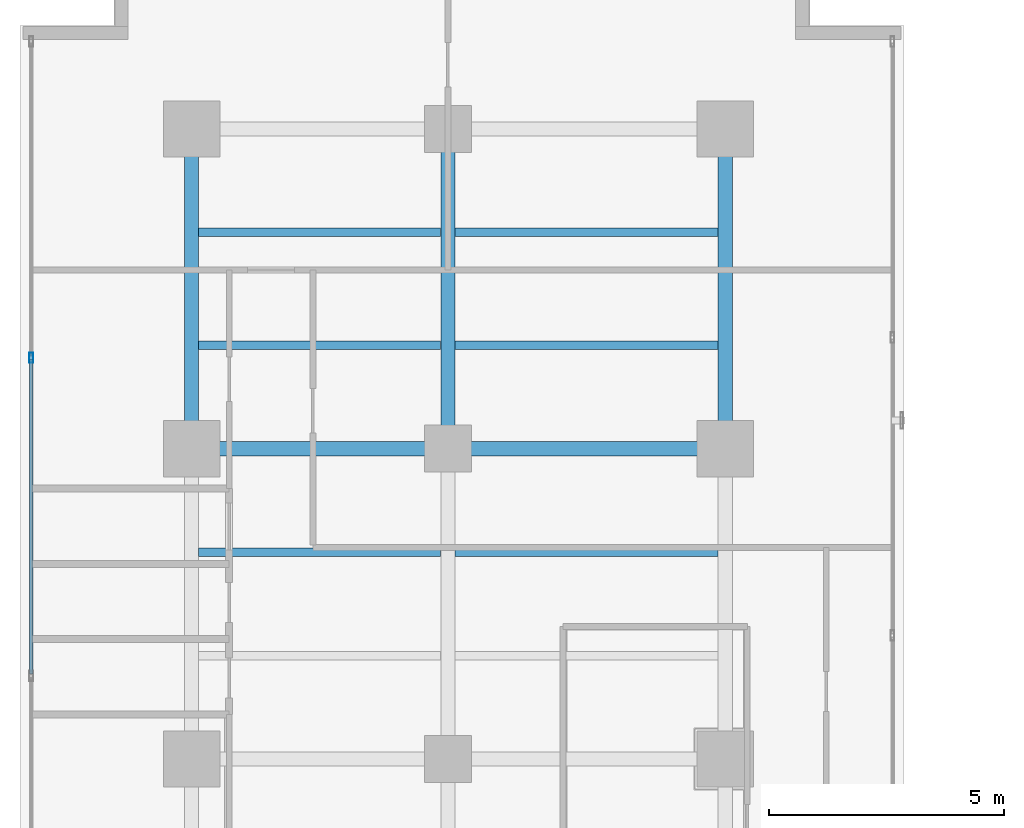
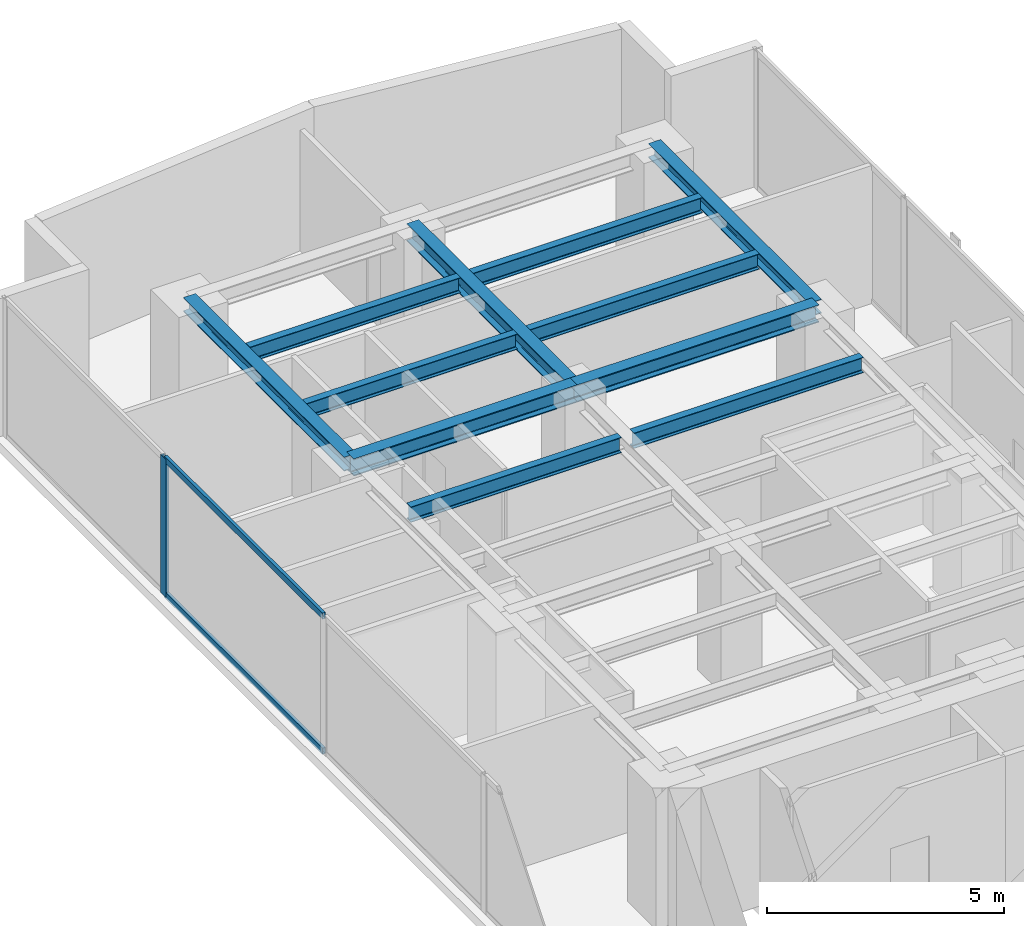
# One storey, part 15 of 26: 11 beams, 3 members, 1 element without a shape of its own.
"""IFC4 building model written with IfcOpenShell, lengths in metres."""

import ifcopenshell
import ifcopenshell.guid

model = None  # the IFC model being written
_history = None  # IfcOwnerHistory: only IFC2X3 demands one
_inside = {}  # id of a spatial element -> (the spatial element, [elements in it])
_under = {}  # id of a project, library or spatial element -> (it, [spatial elements below it])
_declared = {}  # id of a project -> (the project, [libraries it declares])
_typed = {}  # id of a type object -> (the type object, [elements of that type])
_made_of = {}  # id of a material, layer set ... -> (it, [elements and type objects made of it])


def new_model(schema):
    """Start an empty IFC model of exactly this schema.

    Asked for "IFC4X3", IfcOpenShell would pick the latest addendum, in which some entities
    have other attributes; the version numbers below select the first issue.
    IFC2X3 requires an IfcOwnerHistory on every rooted entity: one is made here for all.
    """
    global model, _history
    if schema == "IFC4X3":
        model = ifcopenshell.file(schema_version=(4, 3, 0, 0))
    else:
        model = ifcopenshell.file(schema=schema)
    _inside.clear()
    _under.clear()
    _declared.clear()
    _typed.clear()
    _made_of.clear()
    _history = None
    if model.schema == "IFC2X3":
        org = make("IfcOrganization", Name="unknown")
        user = make(
            "IfcPersonAndOrganization",
            ThePerson=make("IfcPerson", FamilyName="unknown"),
            TheOrganization=org,
        )
        app = make(
            "IfcApplication",
            ApplicationDeveloper=org,
            Version="unknown",
            ApplicationFullName="unknown",
            ApplicationIdentifier="unknown",
        )
        _history = make(
            "IfcOwnerHistory",
            OwningUser=user,
            OwningApplication=app,
            ChangeAction="ADDED",
            CreationDate=0,
        )
    return model


def make(cls, **values):
    """One entity of the class cls with the attributes given. An attribute that is None is left unset."""
    return model.create_entity(
        cls, **{name: value for name, value in values.items() if value is not None}
    )


def rooted(cls, **values):
    """An entity with a GlobalId (a new one), such as an element, a storey or a relation."""
    return make(cls, GlobalId=ifcopenshell.guid.new(), OwnerHistory=_history, **values)


def si_unit(unit_type, name, prefix=None):
    """IfcSIUnit, for example si_unit("LENGTHUNIT", "METRE", prefix="MILLI")."""
    return make("IfcSIUnit", UnitType=unit_type, Prefix=prefix, Name=name)


def assignment(units):
    """IfcUnitAssignment: the units of a project."""
    return None if units is None else make("IfcUnitAssignment", Units=units)


def point(xyz):
    """IfcCartesianPoint."""
    return None if xyz is None else make("IfcCartesianPoint", Coordinates=xyz)


def direction(xyz):
    """IfcDirection."""
    return None if xyz is None else make("IfcDirection", DirectionRatios=xyz)


def frame(location, z_axis=None, x_axis=None):
    """IfcAxis2Placement3D, a coordinate frame: its origin and axes. An axis left out is left unset."""
    return make(
        "IfcAxis2Placement3D",
        Location=point(location),
        Axis=direction(z_axis),
        RefDirection=direction(x_axis),
    )


def frame_2d(location, x_axis=None):
    """IfcAxis2Placement2D, a coordinate frame in the plane: its origin and x axis."""
    return make(
        "IfcAxis2Placement2D", Location=point(location), RefDirection=direction(x_axis)
    )


def origin():
    """The frame at (0, 0, 0) with its axes left unset."""
    return frame((0.0, 0.0, 0.0))


def origin_with_axes():
    """The frame at (0, 0, 0) with the z axis (0, 0, 1) and the x axis (1, 0, 0) written out."""
    return frame((0.0, 0.0, 0.0), z_axis=(0.0, 0.0, 1.0), x_axis=(1.0, 0.0, 0.0))


def origin_2d():
    """The frame at (0, 0) in the plane with its x axis left unset."""
    return frame_2d((0.0, 0.0))


def place(relative_to, where):
    """IfcLocalPlacement: puts the frame where relative to a parent placement (None: the world)."""
    return make(
        "IfcLocalPlacement", PlacementRelTo=relative_to, RelativePlacement=where
    )


def context(
    kind, dimensions, precision=None, world=None, true_north=None, identifier=None
):
    """IfcGeometricRepresentationContext, for example the 3D "Model" context."""
    return make(
        "IfcGeometricRepresentationContext",
        ContextIdentifier=identifier,
        ContextType=kind,
        CoordinateSpaceDimension=dimensions,
        Precision=precision,
        WorldCoordinateSystem=world,
        TrueNorth=true_north,
    )


def subcontext(parent, identifier, kind, view, scale=None):
    """IfcGeometricRepresentationSubContext, for example "Body" below "Model"."""
    return make(
        "IfcGeometricRepresentationSubContext",
        ContextIdentifier=identifier,
        ContextType=kind,
        ParentContext=parent,
        TargetScale=scale,
        TargetView=view,
    )


def project(units=None, contexts=None):
    """IfcProject with its units and contexts."""
    return rooted(
        "IfcProject",
        Name="project",
        RepresentationContexts=contexts,
        UnitsInContext=assignment(units),
    )


def spatial(cls, under=None, at=None, **own):
    """A site, building, storey or space (cls), placed at a placement, below another one or the project."""
    s = rooted(cls, ObjectPlacement=at, **own)
    if under is not None:
        _under.setdefault(under.id(), (under, []))[1].append(s)
    return s


def profile(cls, at=None, kind="AREA", **sizes):
    """A parametric profile (cls). Its sizes go by their IFC names, for example OverallWidth=200.0."""
    return make(cls, ProfileType=kind, Position=at, **sizes)


def hollow_rectangle(**sizes):
    """IfcRectangleHollowProfileDef."""
    return profile("IfcRectangleHollowProfileDef", **sizes)


def i_section(**sizes):
    """IfcIShapeProfileDef."""
    return profile("IfcIShapeProfileDef", **sizes)


def extrude(swept, where, along, depth):
    """IfcExtrudedAreaSolid: the profile swept, set in the frame where, extruded along a direction by depth."""
    return make(
        "IfcExtrudedAreaSolid",
        SweptArea=swept,
        Position=where,
        ExtrudedDirection=direction(along),
        Depth=depth,
    )


def shape(context_of_items, identifier, shape_type, items):
    """IfcShapeRepresentation: the items that make up one representation, for example the "Body"."""
    return make(
        "IfcShapeRepresentation",
        ContextOfItems=context_of_items,
        RepresentationIdentifier=identifier,
        RepresentationType=shape_type,
        Items=items,
    )


def source(mapping_origin, context_of_items, identifier, shape_type, items):
    """IfcRepresentationMap: a shape defined once, which mapped items show again and again."""
    return make(
        "IfcRepresentationMap",
        MappingOrigin=mapping_origin,
        MappedRepresentation=shape(context_of_items, identifier, shape_type, items),
    )


def transform(
    local_origin,
    x_axis=None,
    y_axis=None,
    z_axis=None,
    scale=None,
    scale2=None,
    scale3=None,
    uniform=True,
):
    """IfcCartesianTransformationOperator3D, or its non-uniform kind. x_axis, y_axis, z_axis: its Axis1, 2, 3."""
    if uniform:
        return make(
            "IfcCartesianTransformationOperator3D",
            Axis1=direction(x_axis),
            Axis2=direction(y_axis),
            LocalOrigin=point(local_origin),
            Scale=scale,
            Axis3=direction(z_axis),
        )
    return make(
        "IfcCartesianTransformationOperator3DnonUniform",
        Axis1=direction(x_axis),
        Axis2=direction(y_axis),
        LocalOrigin=point(local_origin),
        Scale=scale,
        Axis3=direction(z_axis),
        Scale2=scale2,
        Scale3=scale3,
    )


def mapped(mapping_source, mapping_target):
    """IfcMappedItem: shows the shape of a source again, moved by a transform."""
    return make(
        "IfcMappedItem", MappingSource=mapping_source, MappingTarget=mapping_target
    )


def material(Name=None, Category=None):
    """IfcMaterial."""
    return make("IfcMaterial", Name=Name, Category=Category)


def layer(
    of_material, thickness, ventilated=None, Name=None, Category=None, Priority=None
):
    """IfcMaterialLayer: one layer of a wall or slab, of a material (None: an air gap)."""
    return make(
        "IfcMaterialLayer",
        Material=of_material,
        LayerThickness=thickness,
        IsVentilated=ventilated,
        Name=Name,
        Category=Category,
        Priority=Priority,
    )


def layer_set(layers, Name=None):
    """IfcMaterialLayerSet."""
    return make("IfcMaterialLayerSet", MaterialLayers=layers, LayerSetName=Name)


def material_profile(
    of_material, cross_section, Name=None, Category=None, Priority=None
):
    """IfcMaterialProfile: a cross section and its material."""
    return make(
        "IfcMaterialProfile",
        Name=Name,
        Material=of_material,
        Profile=cross_section,
        Priority=Priority,
        Category=Category,
    )


def profile_set(profiles, Name=None, composite=None):
    """IfcMaterialProfileSet."""
    return make(
        "IfcMaterialProfileSet",
        Name=Name,
        MaterialProfiles=profiles,
        CompositeProfile=composite,
    )


def made_of(thing, what):
    """Note that an element or type object is made of a material, layer set ...; save() writes the relation."""
    if what is not None:
        _made_of.setdefault(what.id(), (what, []))[1].append(thing)
    return thing


def type_object(cls, material=None, **own):
    """A type object (cls), such as IfcWallType, which elements share."""
    return made_of(rooted(cls, **own), material)


def element(
    cls,
    number,
    at=None,
    inside=None,
    cuts=None,
    type_object=None,
    material=None,
    context=None,
    identifier="Body",
    shape_type=None,
    held_by="IfcProductDefinitionShape",
    body=None,
    shapes=None,
    **own,
):
    """One element of the class cls, such as IfcWall. Its Tag is "e" and its number.

    at: its placement. inside: the storey or other place that contains it. cuts: it is an
    opening in that element (IfcRelVoidsElement). A single representation is given by context,
    identifier, shape_type and body (its items); several are given by shapes. held_by: the class
    of the entity that holds the representations. save() writes the other relations.
    """
    e = rooted(cls, Tag="e%d" % number, ObjectPlacement=at, **own)
    if body is not None:
        shapes = [shape(context, identifier, shape_type, body)]
    if shapes is not None:
        e.Representation = make(held_by, Representations=shapes)
    if inside is not None:
        _inside.setdefault(inside.id(), (inside, []))[1].append(e)
    if cuts is not None:
        rooted(
            "IfcRelVoidsElement", RelatingBuildingElement=cuts, RelatedOpeningElement=e
        )
    if type_object is not None:
        _typed.setdefault(type_object.id(), (type_object, []))[1].append(e)
    return made_of(e, material)


def aggregate(whole, parts):
    """IfcRelAggregates: a whole, such as a stair, and the parts it consists of."""
    return rooted("IfcRelAggregates", RelatingObject=whole, RelatedObjects=parts)


def save(model, path):
    """Write the relations noted so far, then the file.

    IfcRelAggregates (storeys below a building ...), IfcRelContainedInSpatialStructure (elements
    in a storey), IfcRelDefinesByType, IfcRelAssociatesMaterial and IfcRelDeclares: one each for
    every whole, place, type object, material and project.
    """
    for whole, parts in _under.values():
        aggregate(whole, parts)
    for where, things in _inside.values():
        rooted(
            "IfcRelContainedInSpatialStructure",
            RelatedElements=things,
            RelatingStructure=where,
        )
    for kind, things in _typed.values():
        rooted("IfcRelDefinesByType", RelatedObjects=things, RelatingType=kind)
    for what, things in _made_of.values():
        rooted("IfcRelAssociatesMaterial", RelatedObjects=things, RelatingMaterial=what)
    for by, libraries in _declared.values():
        rooted("IfcRelDeclares", RelatingContext=by, RelatedDefinitions=libraries)
    model.write(path)


model = new_model("IFC4")

# Units and contexts
model_context = context("Model", 3, precision=1e-05, world=origin(), true_north=direction((0.0, 1.0)))
body_context = subcontext(model_context, "Body", "Model", "MODEL_VIEW")
ifc_project = project(units=[si_unit("LENGTHUNIT", "METRE"), si_unit("AREAUNIT", "SQUARE_METRE"), si_unit("VOLUMEUNIT", "CUBIC_METRE"), si_unit("PLANEANGLEUNIT", "RADIAN"), si_unit("MASSUNIT", "GRAM", prefix="KILO")], contexts=[model_context])

# Site, building, storey
site_placement = place(None, origin())
site = spatial("IfcSite", under=ifc_project, at=site_placement, CompositionType="ELEMENT")
building_placement = place(site_placement, origin())
building = spatial("IfcBuilding", under=site, at=building_placement, Name="Kolvaren Waterfront Exchange", CompositionType="ELEMENT")
storey_placement = place(building_placement, frame((0.0, 0.0, 180.39990234375)))
storey = spatial("IfcBuildingStorey", under=building, at=storey_placement, Name="L46", CompositionType="ELEMENT", Elevation=180.39990234375)

# Beams
ifc_material_1 = material(Name="Steel S355", Category="steel")
ifc_material_profile_1 = material_profile(ifc_material_1, i_section(OverallWidth=0.300048828125, OverallDepth=0.360107421875, WebThickness=0.012451171875, FlangeThickness=0.0224609375, FilletRadius=0.027099609375, at=origin_2d()), Name="HEB360")
ifc_profile_set_1 = profile_set([ifc_material_profile_1], Name="Steel S355")
beam_type_1 = type_object("IfcBeamType", Name="STR-BM-HEB360", PredefinedType="SPANDREL", material=ifc_profile_set_1)
for number, where, z_axis, x_axis, name in (
    (1, (7.449951171875, 37.800048828125, 3.380126953125), (0.0, 1.0, 0.0), (-1.0, 0.0, 0.0), "L46 north-arm edge beam 3"),
    (2, (18.800048828125, 37.800048828125, 3.380126953125), (0.0, 1.0, 0.0), (-1.0, 0.0, 0.0), "L46 north-arm edge beam 3"),
):
    element("IfcBeam", number, at=place(storey_placement, frame(where, z_axis=z_axis, x_axis=x_axis)), inside=storey, type_object=beam_type_1, Name=name, PredefinedType="SPANDREL", context=body_context, shape_type="SweptSolid", body=[
        extrude(i_section(OverallWidth=0.300048828125, OverallDepth=0.360107421875, WebThickness=0.012451171875, FlangeThickness=0.0224609375, FilletRadius=0.027099609375, at=origin_2d()), origin(), (0.0, 0.0, 1.0), 6.800048828125),
    ])
ifc_material_profile_2 = material_profile(ifc_material_1, i_section(OverallWidth=0.300048828125, OverallDepth=0.449951171875, WebThickness=0.013916015625, FlangeThickness=0.02587890625, FilletRadius=0.027099609375, at=origin_2d()), Name="HEB450")
ifc_profile_set_2 = profile_set([ifc_material_profile_2], Name="Steel S355")
beam_type_2 = type_object("IfcBeamType", Name="STR-BM-HEB450", PredefinedType="BEAM", material=ifc_profile_set_2)
beam_1_placement = place(storey_placement, frame((7.449951171875, 37.800048828125, 3.335205078125), z_axis=(1.0, 0.0, 0.0), x_axis=(0.0, 1.0, 0.0)))
element("IfcBeam", 3, at=beam_1_placement, inside=storey, type_object=beam_type_2, Name="L46 north-arm girder 3A", PredefinedType="BEAM", context=body_context, shape_type="SweptSolid", body=[
    extrude(i_section(OverallWidth=0.300048828125, OverallDepth=0.449951171875, WebThickness=0.013916015625, FlangeThickness=0.02587890625, FilletRadius=0.027099609375, at=origin_2d()), origin(), (0.0, 0.0, 1.0), 5.449951171875),
])
beam_2_placement = place(storey_placement, frame((12.89990234375, 37.800048828125, 3.335205078125), z_axis=(1.0, 0.0, 0.0), x_axis=(0.0, 1.0, 0.0)))
element("IfcBeam", 4, at=beam_2_placement, inside=storey, type_object=beam_type_2, Name="L46 north-arm girder 3B", PredefinedType="BEAM", context=body_context, shape_type="SweptSolid", body=[
    extrude(i_section(OverallWidth=0.300048828125, OverallDepth=0.449951171875, WebThickness=0.013916015625, FlangeThickness=0.02587890625, FilletRadius=0.027099609375, at=origin_2d()), origin(), (0.0, 0.0, 1.0), 5.900146484375),
])
beam_3_placement = place(storey_placement, frame((12.89990234375, 37.800048828125, 3.335205078125), z_axis=(0.0, 1.0, 0.0), x_axis=(-1.0, 0.0, 0.0)))
element("IfcBeam", 5, at=beam_3_placement, inside=storey, type_object=beam_type_2, Name="L46 north-arm edge beam 3", PredefinedType="BEAM", context=body_context, shape_type="SweptSolid", body=[
    extrude(i_section(OverallWidth=0.300048828125, OverallDepth=0.449951171875, WebThickness=0.013916015625, FlangeThickness=0.02587890625, FilletRadius=0.027099609375, at=origin_2d()), origin(), (0.0, 0.0, 1.0), 6.800048828125),
])
ifc_material_profile_3 = material_profile(ifc_material_1, i_section(OverallWidth=0.179931640625, OverallDepth=0.39990234375, WebThickness=0.008544921875, FlangeThickness=0.013427734375, FilletRadius=0.02099609375, at=origin_2d()), Name="IPE400")
ifc_profile_set_3 = profile_set([ifc_material_profile_3], Name="Steel S355")
beam_type_3 = type_object("IfcBeamType", Name="STR-BM-IPE400", PredefinedType="JOIST", material=ifc_profile_set_3)
beam_4_placement = place(storey_placement, frame((7.60205078125, 35.60009765625, 3.360107421875), z_axis=(1.0, 0.0, 0.0), x_axis=(0.0, 1.0, 0.0)))
element("IfcBeam", 6, at=beam_4_placement, inside=storey, type_object=beam_type_3, Name="L46 north-arm composite joist 4A", PredefinedType="JOIST", context=body_context, shape_type="SweptSolid", body=[
    extrude(i_section(OverallWidth=0.179931640625, OverallDepth=0.39990234375, WebThickness=0.008544921875, FlangeThickness=0.013427734375, FilletRadius=0.02099609375, at=origin_2d()), origin(), (0.0, 0.0, 1.0), 5.14599609375),
])
beam_5_placement = place(storey_placement, frame((13.052001953125, 35.60009765625, 3.360107421875), z_axis=(1.0, 0.0, 0.0), x_axis=(0.0, 1.0, 0.0)))
element("IfcBeam", 7, at=beam_5_placement, inside=storey, type_object=beam_type_3, Name="L46 north-arm composite joist 4B", PredefinedType="JOIST", context=body_context, shape_type="SweptSolid", body=[
    extrude(i_section(OverallWidth=0.179931640625, OverallDepth=0.39990234375, WebThickness=0.008544921875, FlangeThickness=0.013427734375, FilletRadius=0.02099609375, at=origin_2d()), origin(), (0.0, 0.0, 1.0), 5.595947265625),
])
beam_6_placement = place(storey_placement, frame((7.60205078125, 40.0, 3.360107421875), z_axis=(1.0, 0.0, 0.0), x_axis=(0.0, 1.0, 0.0)))
element("IfcBeam", 8, at=beam_6_placement, inside=storey, type_object=beam_type_3, Name="L46 north-arm composite joist 5A", PredefinedType="JOIST", context=body_context, shape_type="SweptSolid", body=[
    extrude(i_section(OverallWidth=0.179931640625, OverallDepth=0.39990234375, WebThickness=0.008544921875, FlangeThickness=0.013427734375, FilletRadius=0.02099609375, at=origin_2d()), origin(), (0.0, 0.0, 1.0), 5.14599609375),
])
beam_7_placement = place(storey_placement, frame((13.052001953125, 40.0, 3.360107421875), z_axis=(1.0, 0.0, 0.0), x_axis=(0.0, 1.0, 0.0)))
element("IfcBeam", 9, at=beam_7_placement, inside=storey, type_object=beam_type_3, Name="L46 north-arm composite joist 5B", PredefinedType="JOIST", context=body_context, shape_type="SweptSolid", body=[
    extrude(i_section(OverallWidth=0.179931640625, OverallDepth=0.39990234375, WebThickness=0.008544921875, FlangeThickness=0.013427734375, FilletRadius=0.02099609375, at=origin_2d()), origin(), (0.0, 0.0, 1.0), 5.595947265625),
])
beam_8_placement = place(storey_placement, frame((7.60205078125, 42.39990234375, 3.360107421875), z_axis=(1.0, 0.0, 0.0), x_axis=(0.0, 1.0, 0.0)))
element("IfcBeam", 10, at=beam_8_placement, inside=storey, type_object=beam_type_3, Name="L46 north-arm composite joist 6A", PredefinedType="JOIST", context=body_context, shape_type="SweptSolid", body=[
    extrude(i_section(OverallWidth=0.179931640625, OverallDepth=0.39990234375, WebThickness=0.008544921875, FlangeThickness=0.013427734375, FilletRadius=0.02099609375, at=origin_2d()), origin(), (0.0, 0.0, 1.0), 5.14599609375),
])
beam_9_placement = place(storey_placement, frame((13.052001953125, 42.39990234375, 3.360107421875), z_axis=(1.0, 0.0, 0.0), x_axis=(0.0, 1.0, 0.0)))
element("IfcBeam", 11, at=beam_9_placement, inside=storey, type_object=beam_type_3, Name="L46 north-arm composite joist 6B", PredefinedType="JOIST", context=body_context, shape_type="SweptSolid", body=[
    extrude(i_section(OverallWidth=0.179931640625, OverallDepth=0.39990234375, WebThickness=0.008544921875, FlangeThickness=0.013427734375, FilletRadius=0.02099609375, at=origin_2d()), origin(), (0.0, 0.0, 1.0), 5.595947265625),
])

# Curtain wall, members
ifc_material_2 = material(Name="Anodised aluminium 6063-T6", Category="aluminium")
ifc_layer = layer(ifc_material_2, 0.219970703125, Name="Anodised aluminium 6063-T6")
ifc_layer_set = layer_set([ifc_layer], Name="Anodised aluminium 6063-T6")
curtain_wall_type = type_object("IfcCurtainWallType", Name="ARC-CW-SYS2", PredefinedType="USERDEFINED", material=ifc_layer_set)
curtain_wall_placement = place(storey_placement, origin())
curtain_wall = element("IfcCurtainWall", 12, at=curtain_wall_placement, inside=storey, type_object=curtain_wall_type, Name="L46 stick curtain wall CW2 (CW-L46-W)", ObjectType="STICK CURTAIN WALL", PredefinedType="USERDEFINED")
ifc_material_profile_4 = material_profile(ifc_material_2, hollow_rectangle(XDim=0.080078125, YDim=0.219970703125, WallThickness=0.0048828125, at=origin_2d()), Name="ALU-MUL-220x80x5")
ifc_profile_set_4 = profile_set([ifc_material_profile_4], Name="Anodised aluminium 6063-T6")
member_type_1 = type_object("IfcMemberType", Name="ARC-CWM-220", PredefinedType="MULLION", material=ifc_profile_set_4)
shared_shape_1 = source(origin_with_axes(), body_context, "Body", "SweptSolid", [
    extrude(hollow_rectangle(XDim=0.080078125, YDim=0.219970703125, WallThickness=0.0048828125, at=origin_2d()), origin(), (0.0, 0.0, 1.0), 3.56005859375),
])
member_1_placement = place(storey_placement, frame((4.0400390625, 39.7333984375, 0.0), z_axis=(0.0, 0.0, 1.0), x_axis=(-1.0, 0.0, 0.0)))
member_1 = element("IfcMember", 13, at=member_1_placement, type_object=member_type_1, Name="CW2 mullion 6", PredefinedType="MULLION", context=body_context, shape_type="MappedRepresentation", body=[
    mapped(shared_shape_1, transform((0.0, 0.0, 0.0), x_axis=(1.0, 0.0, 0.0), y_axis=(0.0, 1.0, 0.0), z_axis=(0.0, 0.0, 1.0), scale=1.0)),
])
ifc_material_profile_5 = material_profile(ifc_material_2, hollow_rectangle(XDim=0.074951171875, YDim=0.159912109375, WallThickness=0.00439453125, at=origin_2d()), Name="ALU-TRN-160x75x4.5")
ifc_profile_set_5 = profile_set([ifc_material_profile_5], Name="Anodised aluminium 6063-T6")
member_type_2 = type_object("IfcMemberType", Name="ARC-CWT-160", PredefinedType="USERDEFINED", material=ifc_profile_set_5)
shared_shape_2 = source(origin_with_axes(), body_context, "Body", "SweptSolid", [
    extrude(hollow_rectangle(XDim=0.074951171875, YDim=0.159912109375, WallThickness=0.00439453125, at=origin_2d()), origin(), (0.0, 0.0, 1.0), 6.686767578125),
])
member_2_placement = place(storey_placement, frame((4.0400390625, 33.006591796875, 0.03759765625), z_axis=(0.0, 1.0, 0.0), x_axis=(-1.0, 0.0, 0.0)))
member_2 = element("IfcMember", 14, at=member_2_placement, type_object=member_type_2, Name="CW2 transom 5.1", ObjectType="TRANSOM", PredefinedType="USERDEFINED", context=body_context, shape_type="MappedRepresentation", body=[
    mapped(shared_shape_2, transform((0.0, 0.0, 0.0), x_axis=(1.0, 0.0, 0.0), y_axis=(0.0, 1.0, 0.0), z_axis=(0.0, 0.0, 1.0), scale=1.0)),
])
member_3_placement = place(storey_placement, frame((4.0400390625, 33.006591796875, 3.522705078125), z_axis=(0.0, 1.0, 0.0), x_axis=(-1.0, 0.0, 0.0)))
member_3 = element("IfcMember", 15, at=member_3_placement, type_object=member_type_2, Name="CW2 transom 5.2", ObjectType="TRANSOM", PredefinedType="USERDEFINED", context=body_context, shape_type="MappedRepresentation", body=[
    mapped(shared_shape_2, transform((0.0, 0.0, 0.0), x_axis=(1.0, 0.0, 0.0), y_axis=(0.0, 1.0, 0.0), z_axis=(0.0, 0.0, 1.0), scale=1.0)),
])
aggregate(curtain_wall, [member_1, member_2, member_3])

save(model, "model.ifc")
